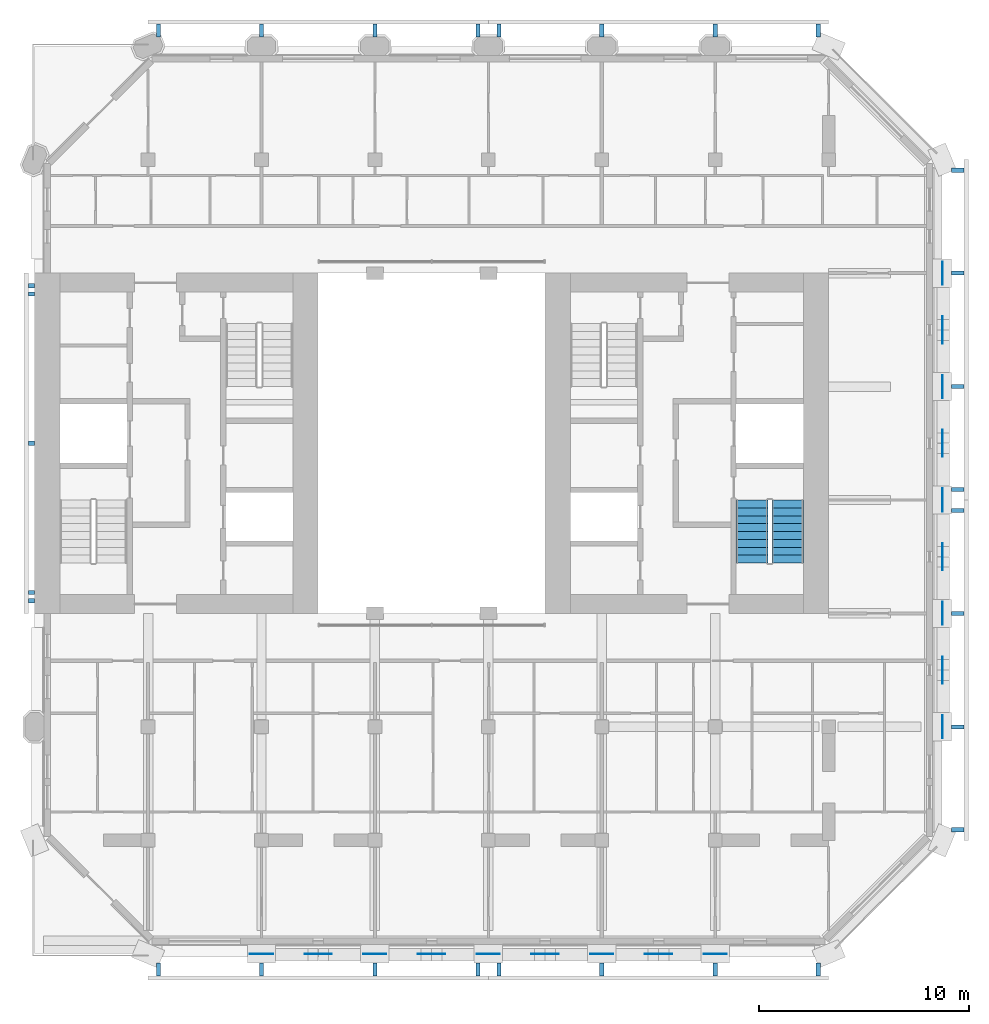
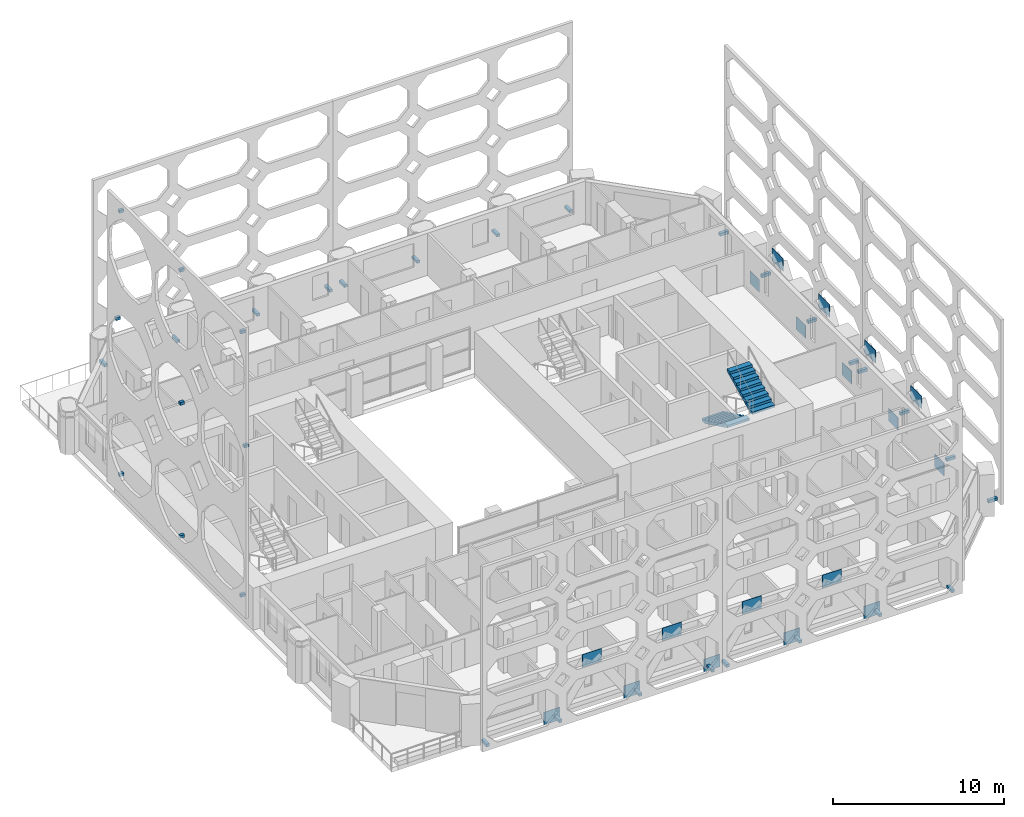
# One storey, part 12 of 15: 51 discrete accessories, 2 stair flights, 1 element without a shape of its own.
"""IFC4 building model written with IfcOpenShell, lengths in metres."""

import ifcopenshell
import ifcopenshell.guid

model = None  # the IFC model being written
_history = None  # IfcOwnerHistory: only IFC2X3 demands one
_inside = {}  # id of a spatial element -> (the spatial element, [elements in it])
_under = {}  # id of a project, library or spatial element -> (it, [spatial elements below it])
_declared = {}  # id of a project -> (the project, [libraries it declares])
_typed = {}  # id of a type object -> (the type object, [elements of that type])
_made_of = {}  # id of a material, layer set ... -> (it, [elements and type objects made of it])


def new_model(schema):
    """Start an empty IFC model of exactly this schema.

    Asked for "IFC4X3", IfcOpenShell would pick the latest addendum, in which some entities
    have other attributes; the version numbers below select the first issue.
    IFC2X3 requires an IfcOwnerHistory on every rooted entity: one is made here for all.
    """
    global model, _history
    if schema == "IFC4X3":
        model = ifcopenshell.file(schema_version=(4, 3, 0, 0))
    else:
        model = ifcopenshell.file(schema=schema)
    _inside.clear()
    _under.clear()
    _declared.clear()
    _typed.clear()
    _made_of.clear()
    _history = None
    if model.schema == "IFC2X3":
        org = make("IfcOrganization", Name="unknown")
        user = make(
            "IfcPersonAndOrganization",
            ThePerson=make("IfcPerson", FamilyName="unknown"),
            TheOrganization=org,
        )
        app = make(
            "IfcApplication",
            ApplicationDeveloper=org,
            Version="unknown",
            ApplicationFullName="unknown",
            ApplicationIdentifier="unknown",
        )
        _history = make(
            "IfcOwnerHistory",
            OwningUser=user,
            OwningApplication=app,
            ChangeAction="ADDED",
            CreationDate=0,
        )
    return model


def make(cls, **values):
    """One entity of the class cls with the attributes given. An attribute that is None is left unset."""
    return model.create_entity(
        cls, **{name: value for name, value in values.items() if value is not None}
    )


def rooted(cls, **values):
    """An entity with a GlobalId (a new one), such as an element, a storey or a relation."""
    return make(cls, GlobalId=ifcopenshell.guid.new(), OwnerHistory=_history, **values)


def si_unit(unit_type, name, prefix=None):
    """IfcSIUnit, for example si_unit("LENGTHUNIT", "METRE", prefix="MILLI")."""
    return make("IfcSIUnit", UnitType=unit_type, Prefix=prefix, Name=name)


def assignment(units):
    """IfcUnitAssignment: the units of a project."""
    return None if units is None else make("IfcUnitAssignment", Units=units)


def point(xyz):
    """IfcCartesianPoint."""
    return None if xyz is None else make("IfcCartesianPoint", Coordinates=xyz)


def direction(xyz):
    """IfcDirection."""
    return None if xyz is None else make("IfcDirection", DirectionRatios=xyz)


def frame(location, z_axis=None, x_axis=None):
    """IfcAxis2Placement3D, a coordinate frame: its origin and axes. An axis left out is left unset."""
    return make(
        "IfcAxis2Placement3D",
        Location=point(location),
        Axis=direction(z_axis),
        RefDirection=direction(x_axis),
    )


def frame_2d(location, x_axis=None):
    """IfcAxis2Placement2D, a coordinate frame in the plane: its origin and x axis."""
    return make(
        "IfcAxis2Placement2D", Location=point(location), RefDirection=direction(x_axis)
    )


def origin():
    """The frame at (0, 0, 0) with its axes left unset."""
    return frame((0.0, 0.0, 0.0))


def origin_2d():
    """The frame at (0, 0) in the plane with its x axis left unset."""
    return frame_2d((0.0, 0.0))


def place(relative_to, where):
    """IfcLocalPlacement: puts the frame where relative to a parent placement (None: the world)."""
    return make(
        "IfcLocalPlacement", PlacementRelTo=relative_to, RelativePlacement=where
    )


def context(
    kind, dimensions, precision=None, world=None, true_north=None, identifier=None
):
    """IfcGeometricRepresentationContext, for example the 3D "Model" context."""
    return make(
        "IfcGeometricRepresentationContext",
        ContextIdentifier=identifier,
        ContextType=kind,
        CoordinateSpaceDimension=dimensions,
        Precision=precision,
        WorldCoordinateSystem=world,
        TrueNorth=true_north,
    )


def subcontext(parent, identifier, kind, view, scale=None):
    """IfcGeometricRepresentationSubContext, for example "Body" below "Model"."""
    return make(
        "IfcGeometricRepresentationSubContext",
        ContextIdentifier=identifier,
        ContextType=kind,
        ParentContext=parent,
        TargetScale=scale,
        TargetView=view,
    )


def project(units=None, contexts=None):
    """IfcProject with its units and contexts."""
    return rooted(
        "IfcProject",
        Name="project",
        RepresentationContexts=contexts,
        UnitsInContext=assignment(units),
    )


def spatial(cls, under=None, at=None, **own):
    """A site, building, storey or space (cls), placed at a placement, below another one or the project."""
    s = rooted(cls, ObjectPlacement=at, **own)
    if under is not None:
        _under.setdefault(under.id(), (under, []))[1].append(s)
    return s


def polyline(points):
    """IfcPolyline through the points."""
    return make("IfcPolyline", Points=[point(p) for p in points])


def profile(cls, at=None, kind="AREA", **sizes):
    """A parametric profile (cls). Its sizes go by their IFC names, for example OverallWidth=200.0."""
    return make(cls, ProfileType=kind, Position=at, **sizes)


def rectangle(**sizes):
    """IfcRectangleProfileDef."""
    return profile("IfcRectangleProfileDef", **sizes)


def outline(outer, holes=None, kind="AREA"):
    """IfcArbitraryClosedProfileDef: a profile drawn as a closed curve; with holes, ...WithVoids."""
    if holes is None:
        return make("IfcArbitraryClosedProfileDef", ProfileType=kind, OuterCurve=outer)
    return make(
        "IfcArbitraryProfileDefWithVoids",
        ProfileType=kind,
        OuterCurve=outer,
        InnerCurves=holes,
    )


def extrude(swept, where, along, depth):
    """IfcExtrudedAreaSolid: the profile swept, set in the frame where, extruded along a direction by depth."""
    return make(
        "IfcExtrudedAreaSolid",
        SweptArea=swept,
        Position=where,
        ExtrudedDirection=direction(along),
        Depth=depth,
    )


def shape(context_of_items, identifier, shape_type, items):
    """IfcShapeRepresentation: the items that make up one representation, for example the "Body"."""
    return make(
        "IfcShapeRepresentation",
        ContextOfItems=context_of_items,
        RepresentationIdentifier=identifier,
        RepresentationType=shape_type,
        Items=items,
    )


def material(Name=None, Category=None):
    """IfcMaterial."""
    return make("IfcMaterial", Name=Name, Category=Category)


def layer(
    of_material, thickness, ventilated=None, Name=None, Category=None, Priority=None
):
    """IfcMaterialLayer: one layer of a wall or slab, of a material (None: an air gap)."""
    return make(
        "IfcMaterialLayer",
        Material=of_material,
        LayerThickness=thickness,
        IsVentilated=ventilated,
        Name=Name,
        Category=Category,
        Priority=Priority,
    )


def layer_set(layers, Name=None):
    """IfcMaterialLayerSet."""
    return make("IfcMaterialLayerSet", MaterialLayers=layers, LayerSetName=Name)


def made_of(thing, what):
    """Note that an element or type object is made of a material, layer set ...; save() writes the relation."""
    if what is not None:
        _made_of.setdefault(what.id(), (what, []))[1].append(thing)
    return thing


def type_object(cls, material=None, **own):
    """A type object (cls), such as IfcWallType, which elements share."""
    return made_of(rooted(cls, **own), material)


def element(
    cls,
    number,
    at=None,
    inside=None,
    cuts=None,
    type_object=None,
    material=None,
    context=None,
    identifier="Body",
    shape_type=None,
    held_by="IfcProductDefinitionShape",
    body=None,
    shapes=None,
    **own,
):
    """One element of the class cls, such as IfcWall. Its Tag is "e" and its number.

    at: its placement. inside: the storey or other place that contains it. cuts: it is an
    opening in that element (IfcRelVoidsElement). A single representation is given by context,
    identifier, shape_type and body (its items); several are given by shapes. held_by: the class
    of the entity that holds the representations. save() writes the other relations.
    """
    e = rooted(cls, Tag="e%d" % number, ObjectPlacement=at, **own)
    if body is not None:
        shapes = [shape(context, identifier, shape_type, body)]
    if shapes is not None:
        e.Representation = make(held_by, Representations=shapes)
    if inside is not None:
        _inside.setdefault(inside.id(), (inside, []))[1].append(e)
    if cuts is not None:
        rooted(
            "IfcRelVoidsElement", RelatingBuildingElement=cuts, RelatedOpeningElement=e
        )
    if type_object is not None:
        _typed.setdefault(type_object.id(), (type_object, []))[1].append(e)
    return made_of(e, material)


def aggregate(whole, parts):
    """IfcRelAggregates: a whole, such as a stair, and the parts it consists of."""
    return rooted("IfcRelAggregates", RelatingObject=whole, RelatedObjects=parts)


def save(model, path):
    """Write the relations noted so far, then the file.

    IfcRelAggregates (storeys below a building ...), IfcRelContainedInSpatialStructure (elements
    in a storey), IfcRelDefinesByType, IfcRelAssociatesMaterial and IfcRelDeclares: one each for
    every whole, place, type object, material and project.
    """
    for whole, parts in _under.values():
        aggregate(whole, parts)
    for where, things in _inside.values():
        rooted(
            "IfcRelContainedInSpatialStructure",
            RelatedElements=things,
            RelatingStructure=where,
        )
    for kind, things in _typed.values():
        rooted("IfcRelDefinesByType", RelatedObjects=things, RelatingType=kind)
    for what, things in _made_of.values():
        rooted("IfcRelAssociatesMaterial", RelatedObjects=things, RelatingMaterial=what)
    for by, libraries in _declared.values():
        rooted("IfcRelDeclares", RelatingContext=by, RelatedDefinitions=libraries)
    model.write(path)


model = new_model("IFC4")

# Units and contexts
model_context = context("Model", 3, precision=1e-05, world=origin(), true_north=direction((0.0, 1.0)))
body_context = subcontext(model_context, "Body", "Model", "MODEL_VIEW")
ifc_project = project(units=[si_unit("LENGTHUNIT", "METRE"), si_unit("AREAUNIT", "SQUARE_METRE"), si_unit("VOLUMEUNIT", "CUBIC_METRE"), si_unit("PLANEANGLEUNIT", "RADIAN"), si_unit("MASSUNIT", "GRAM", prefix="KILO")], contexts=[model_context])

# Site, building, storey
site_placement = place(None, origin())
site = spatial("IfcSite", under=ifc_project, at=site_placement, CompositionType="ELEMENT")
building_placement = place(site_placement, origin())
building = spatial("IfcBuilding", under=site, at=building_placement, Name="Tabaq Tower and Sports Hall", CompositionType="ELEMENT")
storey_placement = place(building_placement, frame((0.0, 0.0, 265.300048828125)))
storey = spatial("IfcBuildingStorey", under=building, at=storey_placement, Name="L64", CompositionType="ELEMENT", Elevation=265.300048828125)

# Stair, stair flights
ifc_material_1 = material(Name="Concrete C40/50", Category="concrete")
stair_type = type_object("IfcStairType", Name="Exit stair", PredefinedType="HALF_TURN_STAIR", material=ifc_material_1)
stair_placement = place(storey_placement, origin())
stair = element("IfcStair", 1, at=stair_placement, inside=storey, type_object=stair_type, Name="L64 Exit stair ST3", PredefinedType="HALF_TURN_STAIR")
ifc_material_2 = material(Name="Concrete C40/50", Category="concrete")
stair_flight_type = type_object("IfcStairFlightType", Name="Exit stair flight", PredefinedType="STRAIGHT", material=ifc_material_2)
stair_flight_1_placement = place(storey_placement, frame((39.550048828125, 21.60009765625, 0.0), z_axis=(0.0, 0.0, 1.0), x_axis=(0.0, -1.0, 0.0)))
stair_flight_1 = element("IfcStairFlight", 2, at=stair_flight_1_placement, type_object=stair_flight_type, Name="ST3 flight 1", NumberOfRisers=9, NumberOfTreads=8, PredefinedType="STRAIGHT", RiserHeight=0.183333333, TreadLength=0.375, context=body_context, shape_type="SweptSolid", body=[
    extrude(outline(polyline([(0.0, 0.0), (0.0, 0.183349609375), (0.375, 0.183349609375), (0.375, 0.36669921875), (0.75, 0.36669921875), (0.75, 0.550048828125), (1.125, 0.550048828125), (1.125, 0.7333984375), (1.5, 0.7333984375), (1.5, 0.916748046875), (1.875, 0.916748046875), (1.875, 1.10009765625), (2.25, 1.10009765625), (2.25, 1.283447265625), (2.625, 1.283447265625), (2.625, 1.466552734375), (3.0, 1.466552734375), (3.0, 1.64990234375), (3.0, 1.2998046875), (0.34130859375, 0.0), (0.0, 0.0)])), frame((0.0, 0.75, 0.0), z_axis=(0.0, -1.0, 0.0), x_axis=(1.0, 0.0, 0.0)), (0.0, 0.0, 1.0), 1.5),
])
stair_flight_2_placement = place(storey_placement, frame((41.25, 18.60009765625, 1.64990234375), z_axis=(0.0, 0.0, 1.0), x_axis=(0.0, 1.0, 0.0)))
stair_flight_2 = element("IfcStairFlight", 3, at=stair_flight_2_placement, type_object=stair_flight_type, Name="ST3 flight 2", NumberOfRisers=9, NumberOfTreads=8, PredefinedType="STRAIGHT", RiserHeight=0.183333333, TreadLength=0.375, context=body_context, shape_type="SweptSolid", body=[
    extrude(outline(polyline([(0.0, 0.0), (0.0, 0.183349609375), (0.375, 0.183349609375), (0.375, 0.36669921875), (0.75, 0.36669921875), (0.75, 0.550048828125), (1.125, 0.550048828125), (1.125, 0.7333984375), (1.5, 0.7333984375), (1.5, 0.916748046875), (1.875, 0.916748046875), (1.875, 1.10009765625), (2.25, 1.10009765625), (2.25, 1.283447265625), (2.625, 1.283447265625), (2.625, 1.466552734375), (3.0, 1.466552734375), (3.0, 1.64990234375), (3.0, 1.2998046875), (0.34130859375, 0.0), (0.0, 0.0)])), frame((0.0, 0.75, 0.0), z_axis=(0.0, -1.0, 0.0), x_axis=(1.0, 0.0, 0.0)), (0.0, 0.0, 1.0), 1.5),
])
aggregate(stair, [stair_flight_1, stair_flight_2])

# Discrete accessories
ifc_material_3 = material(Name="Steel S355", Category="steel")
ifc_layer_1 = layer(ifc_material_3, 0.030029296875)
ifc_layer_set_1 = layer_set([ifc_layer_1], Name="TRANSFER BAND NODE PLATE 1100x900x30 S355")
discrete_accessory_type_1 = type_object("IfcDiscreteAccessoryType", Name="TRANSFER BAND NODE PLATE 1100x900x30 S355", PredefinedType="ANCHORPLATE", material=ifc_layer_set_1)
for number, where, z_axis, x_axis, name in (
    (4, (16.199951171875, -0.014892578125, -0.5), (0.0, 0.0, 1.0), (1.0, 0.0, 0.0), "Transfer band node plate L64 South"),
    (5, (21.60009765625, -0.014892578125, -0.5), (0.0, 0.0, 1.0), (1.0, 0.0, 0.0), "Transfer band node plate L64 South"),
    (6, (27.0, -0.014892578125, -0.5), (0.0, 0.0, 1.0), (1.0, 0.0, 0.0), "Transfer band node plate L64 South"),
    (7, (32.39990234375, -0.014892578125, -0.5), (0.0, 0.0, 1.0), (1.0, 0.0, 0.0), "Transfer band node plate L64 South"),
    (8, (37.800048828125, -0.014892578125, -0.5), (0.0, 0.0, 1.0), (1.0, 0.0, 0.0), "Transfer band node plate L64 South"),
    (9, (48.614990234375, 10.800048828125, -0.5), (0.0, 0.0, 1.0), (0.0, 1.0, 0.0), "Transfer band node plate L64 East"),
    (10, (48.614990234375, 16.199951171875, -0.5), (0.0, 0.0, 1.0), (0.0, 1.0, 0.0), "Transfer band node plate L64 East"),
    (11, (48.614990234375, 21.60009765625, -0.5), (0.0, 0.0, 1.0), (0.0, 1.0, 0.0), "Transfer band node plate L64 East"),
    (12, (48.614990234375, 27.0, -0.5), (0.0, 0.0, 1.0), (0.0, 1.0, 0.0), "Transfer band node plate L64 East"),
    (13, (48.614990234375, 32.39990234375, -0.5), (0.0, 0.0, 1.0), (0.0, 1.0, 0.0), "Transfer band node plate L64 East"),
):
    element("IfcDiscreteAccessory", number, at=place(storey_placement, frame(where, z_axis=z_axis, x_axis=x_axis)), inside=storey, type_object=discrete_accessory_type_1, Name=name, PredefinedType="ANCHORPLATE", context=body_context, shape_type="SweptSolid", body=[
        extrude(rectangle(XDim=1.10009765625, YDim=0.030029296875, at=origin_2d()), origin(), (0.0, 0.0, 1.0), 0.89990234375),
    ])
ifc_material_4 = material(Name="Steel S355", Category="steel")
ifc_layer_2 = layer(ifc_material_4, 0.030029296875)
ifc_layer_set_2 = layer_set([ifc_layer_2], Name="TRANSFER BAND NODE PLATE 1300x900x30 S355")
discrete_accessory_type_2 = type_object("IfcDiscreteAccessoryType", Name="TRANSFER BAND NODE PLATE 1300x900x30 S355", PredefinedType="ANCHORPLATE", material=ifc_layer_set_2)
for number, where, z_axis, x_axis, name in (
    (14, (18.89990234375, -0.014892578125, 2.699951171875), (0.0, 0.0, 1.0), (1.0, 0.0, 0.0), "Transfer band node plate L64 South"),
    (15, (24.300048828125, -0.014892578125, 2.699951171875), (0.0, 0.0, 1.0), (1.0, 0.0, 0.0), "Transfer band node plate L64 South"),
    (16, (29.699951171875, -0.014892578125, 2.699951171875), (0.0, 0.0, 1.0), (1.0, 0.0, 0.0), "Transfer band node plate L64 South"),
    (17, (35.10009765625, -0.014892578125, 2.699951171875), (0.0, 0.0, 1.0), (1.0, 0.0, 0.0), "Transfer band node plate L64 South"),
    (18, (48.614990234375, 13.5, 2.699951171875), (0.0, 0.0, 1.0), (0.0, 1.0, 0.0), "Transfer band node plate L64 East"),
    (19, (48.614990234375, 18.89990234375, 2.699951171875), (0.0, 0.0, 1.0), (0.0, 1.0, 0.0), "Transfer band node plate L64 East"),
    (20, (48.614990234375, 24.300048828125, 2.699951171875), (0.0, 0.0, 1.0), (0.0, 1.0, 0.0), "Transfer band node plate L64 East"),
    (21, (48.614990234375, 29.699951171875, 2.699951171875), (0.0, 0.0, 1.0), (0.0, 1.0, 0.0), "Transfer band node plate L64 East"),
):
    element("IfcDiscreteAccessory", number, at=place(storey_placement, frame(where, z_axis=z_axis, x_axis=x_axis)), inside=storey, type_object=discrete_accessory_type_2, Name=name, PredefinedType="ANCHORPLATE", context=body_context, shape_type="SweptSolid", body=[
        extrude(rectangle(XDim=1.300048828125, YDim=0.030029296875, at=origin_2d()), origin(), (0.0, 0.0, 1.0), 0.89990234375),
    ])
for number, where, z_axis, x_axis, name in (
    (22, (5.25, 31.39990234375, 1.89990234375), (0.0, 0.0, 1.0), (0.0, 1.0, 0.0), "Stainless steel bracket"),
    (23, (5.25, 31.800048828125, 12.7998046875), (0.0, 0.0, 1.0), (0.0, 1.0, 0.0), "Stainless steel bracket"),
    (24, (5.25, 31.39990234375, 20.7001953125), (0.0, 0.0, 1.0), (0.0, 1.0, 0.0), "Stainless steel bracket"),
    (25, (5.25, 24.300048828125, 1.7998046875), (0.0, 0.0, 1.0), (0.0, 1.0, 0.0), "Stainless steel bracket"),
    (26, (5.25, 24.300048828125, 11.2998046875), (0.0, 0.0, 1.0), (0.0, 1.0, 0.0), "Stainless steel bracket"),
    (27, (5.25, 24.300048828125, 20.7998046875), (0.0, 0.0, 1.0), (0.0, 1.0, 0.0), "Stainless steel bracket"),
    (28, (5.25, 17.199951171875, 1.89990234375), (0.0, 0.0, 1.0), (0.0, 1.0, 0.0), "Stainless steel bracket"),
    (29, (5.25, 16.800048828125, 12.7998046875), (0.0, 0.0, 1.0), (0.0, 1.0, 0.0), "Stainless steel bracket"),
    (30, (5.25, 17.199951171875, 20.7001953125), (0.0, 0.0, 1.0), (0.0, 1.0, 0.0), "Stainless steel bracket"),
):
    element("IfcDiscreteAccessory", number, at=place(storey_placement, frame(where, z_axis=z_axis, x_axis=x_axis)), inside=storey, Name=name, PredefinedType="BRACKET", context=body_context, shape_type="SweptSolid", body=[
        extrude(rectangle(XDim=0.199951171875, YDim=0.300048828125, at=origin_2d()), origin(), (0.0, 0.0, 1.0), 0.199951171875),
    ])
for number, where, z_axis, x_axis, name in (
    (31, (11.300048828125, -0.75, 0.10009765625), (0.0, 0.0, 1.0), (0.0, -1.0, 0.0), "Stainless steel bracket"),
    (32, (16.199951171875, -0.75, 0.10009765625), (0.0, 0.0, 1.0), (0.0, -1.0, 0.0), "Stainless steel bracket"),
    (33, (21.60009765625, -0.75, 0.10009765625), (0.0, 0.0, 1.0), (0.0, -1.0, 0.0), "Stainless steel bracket"),
    (34, (26.5, -0.75, 0.10009765625), (0.0, 0.0, 1.0), (0.0, -1.0, 0.0), "Stainless steel bracket"),
    (35, (27.5, -0.75, 0.10009765625), (0.0, 0.0, 1.0), (0.0, -1.0, 0.0), "Stainless steel bracket"),
    (36, (32.39990234375, -0.75, 0.10009765625), (0.0, 0.0, 1.0), (0.0, -1.0, 0.0), "Stainless steel bracket"),
    (37, (37.800048828125, -0.75, 0.10009765625), (0.0, 0.0, 1.0), (0.0, -1.0, 0.0), "Stainless steel bracket"),
    (38, (42.699951171875, -0.75, 0.10009765625), (0.0, 0.0, 1.0), (0.0, -1.0, 0.0), "Stainless steel bracket"),
    (39, (49.35009765625, 5.89990234375, 0.10009765625), (0.0, 0.0, 1.0), (1.0, 0.0, 0.0), "Stainless steel bracket"),
    (40, (49.35009765625, 10.800048828125, 0.10009765625), (0.0, 0.0, 1.0), (1.0, 0.0, 0.0), "Stainless steel bracket"),
    (41, (49.35009765625, 16.199951171875, 0.10009765625), (0.0, 0.0, 1.0), (1.0, 0.0, 0.0), "Stainless steel bracket"),
    (42, (49.35009765625, 21.10009765625, 0.10009765625), (0.0, 0.0, 1.0), (1.0, 0.0, 0.0), "Stainless steel bracket"),
    (43, (49.35009765625, 22.10009765625, 0.10009765625), (0.0, 0.0, 1.0), (1.0, 0.0, 0.0), "Stainless steel bracket"),
    (44, (49.35009765625, 27.0, 0.10009765625), (0.0, 0.0, 1.0), (1.0, 0.0, 0.0), "Stainless steel bracket"),
    (45, (49.35009765625, 32.39990234375, 0.10009765625), (0.0, 0.0, 1.0), (1.0, 0.0, 0.0), "Stainless steel bracket"),
    (46, (49.35009765625, 37.300048828125, 0.10009765625), (0.0, 0.0, 1.0), (1.0, 0.0, 0.0), "Stainless steel bracket"),
    (47, (42.699951171875, 43.949951171875, 0.10009765625), (0.0, 0.0, 1.0), (0.0, 1.0, 0.0), "Stainless steel bracket"),
    (48, (37.800048828125, 43.949951171875, 0.10009765625), (0.0, 0.0, 1.0), (0.0, 1.0, 0.0), "Stainless steel bracket"),
    (49, (32.39990234375, 43.949951171875, 0.10009765625), (0.0, 0.0, 1.0), (0.0, 1.0, 0.0), "Stainless steel bracket"),
    (50, (27.5, 43.949951171875, 0.10009765625), (0.0, 0.0, 1.0), (0.0, 1.0, 0.0), "Stainless steel bracket"),
    (51, (26.5, 43.949951171875, 0.10009765625), (0.0, 0.0, 1.0), (0.0, 1.0, 0.0), "Stainless steel bracket"),
    (52, (21.60009765625, 43.949951171875, 0.10009765625), (0.0, 0.0, 1.0), (0.0, 1.0, 0.0), "Stainless steel bracket"),
    (53, (16.199951171875, 43.949951171875, 0.10009765625), (0.0, 0.0, 1.0), (0.0, 1.0, 0.0), "Stainless steel bracket"),
    (54, (11.300048828125, 43.949951171875, 0.10009765625), (0.0, 0.0, 1.0), (0.0, 1.0, 0.0), "Stainless steel bracket"),
):
    element("IfcDiscreteAccessory", number, at=place(storey_placement, frame(where, z_axis=z_axis, x_axis=x_axis)), inside=storey, Name=name, PredefinedType="BRACKET", context=body_context, shape_type="SweptSolid", body=[
        extrude(rectangle(XDim=0.60009765625, YDim=0.199951171875, at=origin_2d()), origin(), (0.0, 0.0, 1.0), 0.199951171875),
    ])

save(model, "model.ifc")
